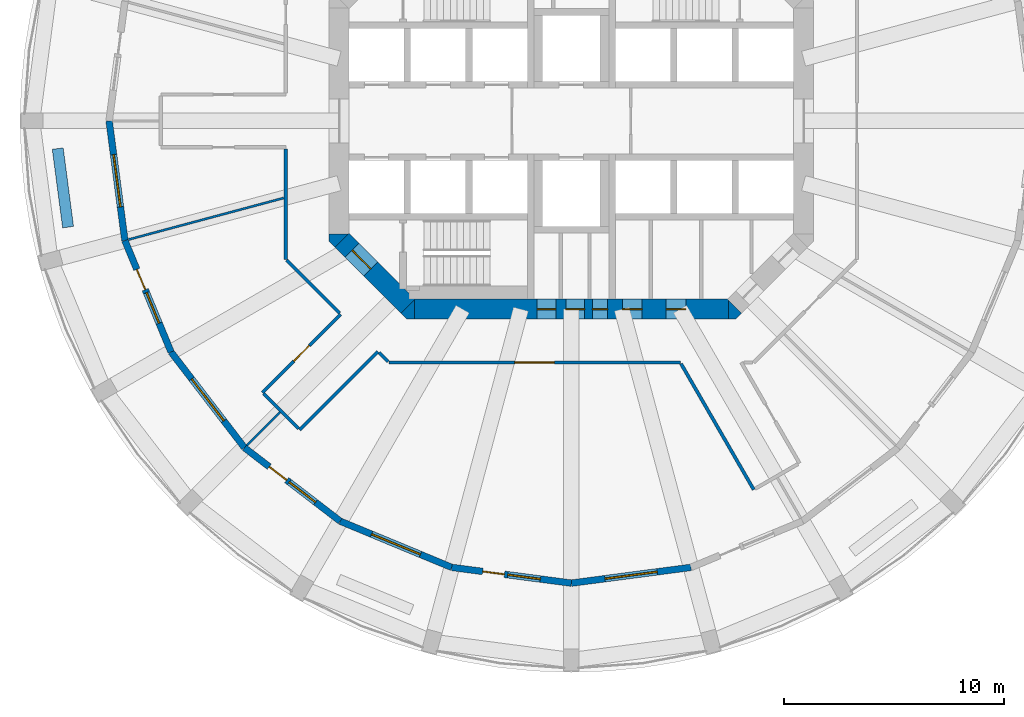
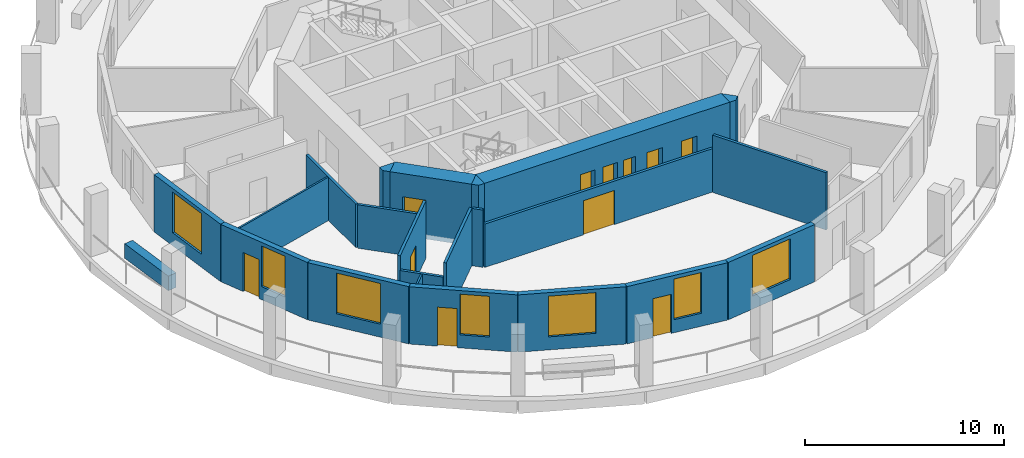
# One storey, part 2 of 8: 23 walls, 11 doors, 7 windows, 18 openings.
"""IFC4 building model written with IfcOpenShell, lengths in metres."""

from ifc_helpers import new_model, si_unit, direction, frame, frame_2d, origin, place, context, subcontext, project, spatial, polyline, rectangle, outline, extrude, material, layer, layer_set, type_object, element, fill, save


model = new_model("IFC4")

# Units and contexts
model_context = context("Model", 3, precision=1e-05, world=origin(), true_north=direction((0.0, 1.0)))
body_context = subcontext(model_context, "Body", "Model", "MODEL_VIEW")
ifc_project = project(units=[si_unit("LENGTHUNIT", "METRE"), si_unit("AREAUNIT", "SQUARE_METRE"), si_unit("VOLUMEUNIT", "CUBIC_METRE"), si_unit("PLANEANGLEUNIT", "RADIAN"), si_unit("MASSUNIT", "GRAM", prefix="KILO")], contexts=[model_context])

# Site, building, storey
site_placement = place(None, origin())
site = spatial("IfcSite", under=ifc_project, at=site_placement, CompositionType="ELEMENT")
building_placement = place(site_placement, origin())
building = spatial("IfcBuilding", under=site, at=building_placement, Name="Torre Triforio", CompositionType="ELEMENT")
storey_placement = place(building_placement, frame((0.0, 0.0, 139.0)))
storey = spatial("IfcBuildingStorey", under=building, at=storey_placement, Name="L31", CompositionType="ELEMENT", Elevation=139.0)

# Wall, openings, doors
ifc_material_1 = material(Name="Concrete C60", Category="concrete")
ifc_layer_1 = layer(ifc_material_1, 0.89990234375)
ifc_layer_set_1 = layer_set([ifc_layer_1], Name="Concrete C60")
wall_type_1 = type_object("IfcWallType", Name="Core wall 900 mm C60 EI 120", PredefinedType="SHEAR", material=ifc_layer_set_1)
wall_1_placement = place(storey_placement, frame((-7.1298828125, -8.550048828125, -0.280029296875), z_axis=(0.0, 0.0, 1.0), x_axis=(1.0, 0.0, 0.0)))
wall_1 = element("IfcWall", 1, at=wall_1_placement, inside=storey, type_object=wall_type_1, Name="Core wall", PredefinedType="SHEAR", context=body_context, shape_type="SweptSolid", body=[
    extrude(rectangle(XDim=14.259765625, YDim=0.89990234375, at=frame_2d((7.1298828125, 0.0))), origin(), (0.0, 0.0, 1.0), 3.800048828125),
])
opening_1_placement = place(wall_1_placement, frame((8.080078125, 0.0, 0.280029296875)))
opening_1 = element("IfcOpeningElement", 2, at=opening_1_placement, cuts=wall_1, Name="Opening RISER-S", PredefinedType="OPENING", context=body_context, shape_type="SweptSolid", body=[
    extrude(rectangle(XDim=0.699951171875, YDim=2.10009765625, at=frame_2d((0.35009765625, 1.050048828125))), frame((0.0, 0.4599609375, 0.0), z_axis=(0.0, -1.0, 0.0), x_axis=(1.0, 0.0, 0.0)), (0.0, 0.0, 1.0), 0.919921875),
])
opening_2_placement = place(wall_1_placement, frame((5.580078125, 0.0, 0.280029296875)))
opening_2 = element("IfcOpeningElement", 3, at=opening_2_placement, cuts=wall_1, Name="Opening SW-01A", PredefinedType="OPENING", context=body_context, shape_type="SweptSolid", body=[
    extrude(rectangle(XDim=0.85009765625, YDim=2.10009765625, at=frame_2d((0.425048828125, 1.050048828125))), frame((0.0, 0.4599609375, 0.0), z_axis=(0.0, -1.0, 0.0), x_axis=(1.0, 0.0, 0.0)), (0.0, 0.0, 1.0), 0.919921875),
])
opening_3_placement = place(wall_1_placement, frame((6.8798828125, 0.0, 0.280029296875)))
opening_3 = element("IfcOpeningElement", 4, at=opening_3_placement, cuts=wall_1, Name="Opening SW-02", PredefinedType="OPENING", context=body_context, shape_type="SweptSolid", body=[
    extrude(rectangle(XDim=0.85009765625, YDim=2.10009765625, at=frame_2d((0.425048828125, 1.050048828125))), frame((0.0, 0.4599609375, 0.0), z_axis=(0.0, -1.0, 0.0), x_axis=(1.0, 0.0, 0.0)), (0.0, 0.0, 1.0), 0.919921875),
])
opening_4_placement = place(wall_1_placement, frame((9.445068359375, 0.0, 0.280029296875)))
opening_4 = element("IfcOpeningElement", 5, at=opening_4_placement, cuts=wall_1, Name="Opening SE-01A", PredefinedType="OPENING", context=body_context, shape_type="SweptSolid", body=[
    extrude(rectangle(XDim=0.89990234375, YDim=2.10009765625, at=frame_2d((0.449951171875, 1.050048828125))), frame((0.0, 0.4599609375, 0.0), z_axis=(0.0, -1.0, 0.0), x_axis=(1.0, 0.0, 0.0)), (0.0, 0.0, 1.0), 0.919921875),
])
opening_5_placement = place(wall_1_placement, frame((11.430908203125, 0.0, 0.280029296875)))
opening_5 = element("IfcOpeningElement", 6, at=opening_5_placement, cuts=wall_1, Name="Opening SE-02", PredefinedType="OPENING", context=body_context, shape_type="SweptSolid", body=[
    extrude(rectangle(XDim=0.89990234375, YDim=2.10009765625, at=frame_2d((0.449951171875, 1.050048828125))), frame((0.0, 0.4599609375, 0.0), z_axis=(0.0, -1.0, 0.0), x_axis=(1.0, 0.0, 0.0)), (0.0, 0.0, 1.0), 0.919921875),
])
ifc_material_2 = material(Name="Hollow metal fire door leaf")
door_type_1 = type_object("IfcDoorType", Name="Riser door 700 x 2100 EI 60", OperationType="NOTDEFINED", PredefinedType="DOOR", material=ifc_material_2)
door_1_placement = place(opening_1_placement, origin())
door_1 = element("IfcDoor", 7, at=door_1_placement, inside=storey, type_object=door_type_1, Name="Core door RISER-S", OperationType="SINGLE_SWING_RIGHT", OverallHeight=2.10009765625, OverallWidth=0.699951171875, PredefinedType="DOOR", context=body_context, shape_type="SweptSolid", body=[
    extrude(rectangle(XDim=0.699951171875, YDim=2.10009765625, at=frame_2d((0.35009765625, 1.050048828125))), frame((0.0, 0.02490234375, 0.0), z_axis=(0.0, -1.0, 0.0), x_axis=(1.0, 0.0, 0.0)), (0.0, 0.0, 1.0), 0.050048828125),
])
fill(opening_1, door_1)
door_type_2 = type_object("IfcDoorType", Name="Room door 850 x 2100 EI 60", OperationType="NOTDEFINED", PredefinedType="DOOR", material=ifc_material_2)
door_2_placement = place(opening_2_placement, origin())
door_2 = element("IfcDoor", 8, at=door_2_placement, inside=storey, type_object=door_type_2, Name="Core door SW-01", OperationType="SINGLE_SWING_RIGHT", OverallHeight=2.10009765625, OverallWidth=0.85009765625, PredefinedType="DOOR", context=body_context, shape_type="SweptSolid", body=[
    extrude(rectangle(XDim=0.85009765625, YDim=2.10009765625, at=frame_2d((0.425048828125, 1.050048828125))), frame((0.0, 0.02490234375, 0.0), z_axis=(0.0, -1.0, 0.0), x_axis=(1.0, 0.0, 0.0)), (0.0, 0.0, 1.0), 0.050048828125),
])
fill(opening_2, door_2)
door_3_placement = place(opening_3_placement, origin())
door_3 = element("IfcDoor", 9, at=door_3_placement, inside=storey, type_object=door_type_2, Name="Core door SW-02", OperationType="SINGLE_SWING_LEFT", OverallHeight=2.10009765625, OverallWidth=0.85009765625, PredefinedType="DOOR", context=body_context, shape_type="SweptSolid", body=[
    extrude(rectangle(XDim=0.85009765625, YDim=2.10009765625, at=frame_2d((0.425048828125, 1.050048828125))), frame((0.0, 0.02490234375, 0.0), z_axis=(0.0, -1.0, 0.0), x_axis=(1.0, 0.0, 0.0)), (0.0, 0.0, 1.0), 0.050048828125),
])
fill(opening_3, door_3)
door_type_3 = type_object("IfcDoorType", Name="Room door 900 x 2100 EI 60", OperationType="NOTDEFINED", PredefinedType="DOOR", material=ifc_material_2)
door_4_placement = place(opening_4_placement, origin())
door_4 = element("IfcDoor", 10, at=door_4_placement, inside=storey, type_object=door_type_3, Name="Core door SE-01", OperationType="SINGLE_SWING_RIGHT", OverallHeight=2.10009765625, OverallWidth=0.89990234375, PredefinedType="DOOR", context=body_context, shape_type="SweptSolid", body=[
    extrude(rectangle(XDim=0.89990234375, YDim=2.10009765625, at=frame_2d((0.449951171875, 1.050048828125))), frame((0.0, 0.02490234375, 0.0), z_axis=(0.0, -1.0, 0.0), x_axis=(1.0, 0.0, 0.0)), (0.0, 0.0, 1.0), 0.050048828125),
])
fill(opening_4, door_4)
door_5_placement = place(opening_5_placement, origin())
door_5 = element("IfcDoor", 11, at=door_5_placement, inside=storey, type_object=door_type_3, Name="Core door SE-02", OperationType="SINGLE_SWING_LEFT", OverallHeight=2.10009765625, OverallWidth=0.89990234375, PredefinedType="DOOR", context=body_context, shape_type="SweptSolid", body=[
    extrude(rectangle(XDim=0.89990234375, YDim=2.10009765625, at=frame_2d((0.449951171875, 1.050048828125))), frame((0.0, 0.02490234375, 0.0), z_axis=(0.0, -1.0, 0.0), x_axis=(1.0, 0.0, 0.0)), (0.0, 0.0, 1.0), 0.050048828125),
])
fill(opening_5, door_5)

# Wall, opening, door
wall_2_placement = place(storey_placement, frame((-7.418212890625, -8.418212890625, -0.280029296875), z_axis=(0.0, 0.0, 1.0), x_axis=(-0.707106781187, 0.707106781187, 0.0)))
wall_2 = element("IfcWall", 12, at=wall_2_placement, inside=storey, type_object=wall_type_1, Name="Core wall", PredefinedType="SHEAR", context=body_context, shape_type="SweptSolid", body=[
    extrude(rectangle(XDim=4.24267578125, YDim=0.89990234375, at=frame_2d((2.121337890625, 0.0))), origin(), (0.0, 0.0, 1.0), 3.800048828125),
])
opening_6_placement = place(wall_2_placement, frame((2.392578125, 0.0, 0.280029296875)))
opening_6 = element("IfcOpeningElement", 13, at=opening_6_placement, cuts=wall_2, Name="Opening ST3-EXIT", PredefinedType="OPENING", context=body_context, shape_type="SweptSolid", body=[
    extrude(rectangle(XDim=1.199951171875, YDim=2.10009765625, at=frame_2d((0.60009765625, 1.050048828125))), frame((0.0, 0.4599609375, 0.0), z_axis=(0.0, -1.0, 0.0), x_axis=(1.0, 0.0, 0.0)), (0.0, 0.0, 1.0), 0.919921875),
])
door_type_4 = type_object("IfcDoorType", Name="Stair lobby door 1200 x 2100 EI 60", OperationType="NOTDEFINED", PredefinedType="DOOR", material=ifc_material_2)
door_6_placement = place(opening_6_placement, origin())
door_6 = element("IfcDoor", 14, at=door_6_placement, inside=storey, type_object=door_type_4, Name="Core door ST3-EXIT", OperationType="SINGLE_SWING_RIGHT", OverallHeight=2.10009765625, OverallWidth=1.199951171875, PredefinedType="DOOR", context=body_context, shape_type="SweptSolid", body=[
    extrude(rectangle(XDim=1.199951171875, YDim=2.10009765625, at=frame_2d((0.60009765625, 1.050048828125))), frame((0.0, 0.02490234375, 0.0), z_axis=(0.0, -1.0, 0.0), x_axis=(1.0, 0.0, 0.0)), (0.0, 0.0, 1.0), 0.050048828125),
])
fill(opening_6, door_6)

# Walls
wall_3_placement = place(storey_placement, frame((0.0, 0.0, -0.280029296875)))
element("IfcWall", 15, at=wall_3_placement, inside=storey, type_object=wall_type_1, Name="Core wall", PredefinedType="SHEAR", context=body_context, shape_type="SweptSolid", body=[
    extrude(outline(polyline([(-7.472900390625, -9.0), (-7.736328125, -8.736328125), (-7.1298828125, -8.1298828125), (-7.1298828125, -9.0), (-7.472900390625, -9.0)])), origin(), (0.0, 0.0, 1.0), 3.800048828125),
])
wall_4_placement = place(storey_placement, frame((0.0, 0.0, -0.280029296875)))
element("IfcWall", 16, at=wall_4_placement, inside=storey, type_object=wall_type_1, Name="Core wall", PredefinedType="SHEAR", context=body_context, shape_type="SweptSolid", body=[
    extrude(outline(polyline([(7.472900390625, -9.0), (7.1298828125, -9.0), (7.1298828125, -8.1298828125), (7.736328125, -8.736328125), (7.472900390625, -9.0)])), origin(), (0.0, 0.0, 1.0), 3.800048828125),
])
wall_5_placement = place(storey_placement, frame((0.0, 0.0, -0.280029296875)))
element("IfcWall", 17, at=wall_5_placement, inside=storey, type_object=wall_type_1, Name="Core wall", PredefinedType="SHEAR", context=body_context, shape_type="SweptSolid", body=[
    extrude(outline(polyline([(-11.0, -5.472900390625), (-11.0, -5.1298828125), (-10.1298828125, -5.1298828125), (-10.736328125, -5.736328125), (-11.0, -5.472900390625)])), origin(), (0.0, 0.0, 1.0), 3.800048828125),
])

# Wall, opening, door
ifc_material_3 = material(Name="Plasterboard on metal studs")
ifc_layer_2 = layer(ifc_material_3, 0.14990234375)
ifc_layer_set_2 = layer_set([ifc_layer_2], Name="Plasterboard on metal studs")
wall_type_2 = type_object("IfcWallType", Name="Corridor and tenancy wall 150 mm EI 60", PredefinedType="PARTITIONING", material=ifc_layer_set_2)
wall_6_placement = place(storey_placement, frame((-14.03515625, -12.338134765625, 0.0), z_axis=(0.0, 0.0, 1.0), x_axis=(0.707106781187, 0.707106781187, 0.0)))
wall_6 = element("IfcWall", 18, at=wall_6_placement, inside=storey, type_object=wall_type_2, Name="Partition 1", PredefinedType="PARTITIONING", context=body_context, shape_type="SweptSolid", body=[
    extrude(rectangle(XDim=5.025634765625, YDim=0.14990234375, at=frame_2d((2.5126953125, 0.0))), origin(), (0.0, 0.0, 1.0), 3.52001953125),
])
opening_7_placement = place(wall_6_placement, frame((2.0126953125, 0.0, 0.0)))
opening_7 = element("IfcOpeningElement", 19, at=opening_7_placement, cuts=wall_6, Name="Opening D3-05", PredefinedType="OPENING", context=body_context, shape_type="SweptSolid", body=[
    extrude(rectangle(XDim=1.0, YDim=2.10009765625, at=frame_2d((0.5, 1.050048828125))), frame((0.0, 0.0849609375, 0.0), z_axis=(0.0, -1.0, 0.0), x_axis=(1.0, 0.0, 0.0)), (0.0, 0.0, 1.0), 0.169921875),
])
ifc_material_4 = material(Name="Timber", Category="wood")
door_type_5 = type_object("IfcDoorType", Name="Door 1000 x 2100 single leaf EI 30", OperationType="NOTDEFINED", PredefinedType="DOOR", material=ifc_material_4)
door_7_placement = place(opening_7_placement, origin())
door_7 = element("IfcDoor", 20, at=door_7_placement, inside=storey, type_object=door_type_5, Name="Door D3-05", OperationType="SINGLE_SWING_RIGHT", OverallHeight=2.10009765625, OverallWidth=1.0, PredefinedType="DOOR", context=body_context, shape_type="SweptSolid", body=[
    extrude(rectangle(XDim=1.0, YDim=2.10009765625, at=frame_2d((0.5, 1.050048828125))), frame((0.0, 0.02490234375, 0.0), z_axis=(0.0, -1.0, 0.0), x_axis=(1.0, 0.0, 0.0)), (0.0, 0.0, 1.0), 0.050048828125),
])
fill(opening_7, door_7)

# Walls
wall_7_placement = place(storey_placement, frame((-10.534423828125, -8.7314453125, 0.0), z_axis=(0.0, 0.0, 1.0), x_axis=(-0.707106781187, 0.707106781187, 0.0)))
element("IfcWall", 21, at=wall_7_placement, inside=storey, type_object=wall_type_2, Name="Partition 2", PredefinedType="PARTITIONING", context=body_context, shape_type="SweptSolid", body=[
    extrude(rectangle(XDim=3.399169921875, YDim=0.14990234375, at=frame_2d((1.69970703125, 0.0))), origin(), (0.0, 0.0, 1.0), 2.669921875),
])
wall_8_placement = place(storey_placement, frame((-12.97509765625, -6.291015625, 0.0), z_axis=(0.0, 0.0, 1.0), x_axis=(0.0, 1.0, 0.0)))
element("IfcWall", 22, at=wall_8_placement, inside=storey, type_object=wall_type_2, Name="Partition 3", PredefinedType="PARTITIONING", context=body_context, shape_type="SweptSolid", body=[
    extrude(rectangle(XDim=5.01611328125, YDim=0.14990234375, at=frame_2d((2.508056640625, 0.0))), origin(), (0.0, 0.0, 1.0), 2.669921875),
])
wall_9_placement = place(storey_placement, frame((8.28515625, -16.750244140625, 0.0), z_axis=(0.0, 0.0, 1.0), x_axis=(-0.499988075443, 0.866032288321, 0.0)))
element("IfcWall", 23, at=wall_9_placement, inside=storey, type_object=wall_type_2, Name="Partition 25", PredefinedType="PARTITIONING", context=body_context, shape_type="SweptSolid", body=[
    extrude(rectangle(XDim=6.603759765625, YDim=0.14990234375, at=frame_2d((3.3017578125, 0.0))), origin(), (0.0, 0.0, 1.0), 3.52001953125),
])

# Wall, opening, door
wall_10_placement = place(storey_placement, frame((4.95068359375, -10.97509765625, 0.0), z_axis=(0.0, 0.0, 1.0), x_axis=(-1.0, 0.0, 0.0)))
wall_10 = element("IfcWall", 24, at=wall_10_placement, inside=storey, type_object=wall_type_2, Name="Partition 26", PredefinedType="PARTITIONING", context=body_context, shape_type="SweptSolid", body=[
    extrude(rectangle(XDim=13.24169921875, YDim=0.14990234375, at=frame_2d((6.620849609375, 0.0))), origin(), (0.0, 0.0, 1.0), 2.669921875),
])
opening_8_placement = place(wall_10_placement, frame((5.720703125, 0.0, 0.0)))
opening_8 = element("IfcOpeningElement", 25, at=opening_8_placement, cuts=wall_10, Name="Opening D3-06", PredefinedType="OPENING", context=body_context, shape_type="SweptSolid", body=[
    extrude(rectangle(XDim=1.800048828125, YDim=2.10009765625, at=frame_2d((0.89990234375, 1.050048828125))), frame((0.0, 0.0849609375, 0.0), z_axis=(0.0, -1.0, 0.0), x_axis=(1.0, 0.0, 0.0)), (0.0, 0.0, 1.0), 0.169921875),
])
door_type_6 = type_object("IfcDoorType", Name="Door 1800 x 2100 double leaf EI 30", OperationType="DOUBLE_DOOR_SINGLE_SWING", PredefinedType="DOOR", material=ifc_material_4)
door_8_placement = place(opening_8_placement, origin())
door_8 = element("IfcDoor", 26, at=door_8_placement, inside=storey, type_object=door_type_6, Name="Door D3-06", OperationType="DOUBLE_DOOR_SINGLE_SWING", OverallHeight=2.10009765625, OverallWidth=1.800048828125, PredefinedType="DOOR", context=body_context, shape_type="SweptSolid", body=[
    extrude(rectangle(XDim=1.800048828125, YDim=2.10009765625, at=frame_2d((0.89990234375, 1.050048828125))), frame((0.0, 0.02490234375, 0.0), z_axis=(0.0, -1.0, 0.0), x_axis=(1.0, 0.0, 0.0)), (0.0, 0.0, 1.0), 0.050048828125),
])
fill(opening_8, door_8)

# Walls
wall_11_placement = place(storey_placement, frame((-8.327880859375, -10.93798828125, 0.0), z_axis=(0.0, 0.0, 1.0), x_axis=(-0.707106781187, 0.707106781187, 0.0)))
element("IfcWall", 27, at=wall_11_placement, inside=storey, type_object=wall_type_2, Name="Partition 27", PredefinedType="PARTITIONING", context=body_context, shape_type="SweptSolid", body=[
    extrude(rectangle(XDim=0.57080078125, YDim=0.14990234375, at=frame_2d((0.285400390625, 0.0))), origin(), (0.0, 0.0, 1.0), 3.52001953125),
])
wall_12_placement = place(storey_placement, frame((-8.784423828125, -10.4814453125, 0.0), z_axis=(0.0, 0.0, 1.0), x_axis=(-0.707106781187, -0.707106781187, 0.0)))
element("IfcWall", 28, at=wall_12_placement, inside=storey, type_object=wall_type_2, Name="Partition 28", PredefinedType="PARTITIONING", context=body_context, shape_type="SweptSolid", body=[
    extrude(rectangle(XDim=5.025634765625, YDim=0.14990234375, at=frame_2d((2.5126953125, 0.0))), origin(), (0.0, 0.0, 1.0), 3.52001953125),
])
wall_13_placement = place(storey_placement, frame((-12.39111328125, -13.982177734375, 0.0), z_axis=(0.0, 0.0, 1.0), x_axis=(-0.707106781187, 0.707106781187, 0.0)))
element("IfcWall", 29, at=wall_13_placement, inside=storey, type_object=wall_type_2, Name="Partition 29", PredefinedType="PARTITIONING", context=body_context, shape_type="SweptSolid", body=[
    extrude(rectangle(XDim=2.25, YDim=0.14990234375, at=frame_2d((1.125, 0.0))), origin(), (0.0, 0.0, 1.0), 2.669921875),
])
ifc_layer_3 = layer(ifc_material_3, 0.10009765625)
ifc_layer_set_3 = layer_set([ifc_layer_3], Name="Plasterboard on metal studs")
wall_type_3 = type_object("IfcWallType", Name="Partition 100 mm board on metal studs", PredefinedType="PARTITIONING", material=ifc_layer_set_3)
wall_14_placement = place(storey_placement, frame((-13.064208984375, -3.50048828125, 0.0), z_axis=(0.0, 0.0, 1.0), x_axis=(-0.965927781613, -0.258811747624, 0.0)))
element("IfcWall", 30, at=wall_14_placement, inside=storey, type_object=wall_type_3, Name="Partition 38", PredefinedType="PARTITIONING", context=body_context, shape_type="SweptSolid", body=[
    extrude(rectangle(XDim=7.3115234375, YDim=0.10009765625, at=frame_2d((3.65576171875, 0.0))), origin(), (0.0, 0.0, 1.0), 2.669921875),
])
wall_15_placement = place(storey_placement, frame((-13.23974609375, -13.23974609375, 0.0), z_axis=(0.0, 0.0, 1.0), x_axis=(-0.707106781187, -0.707106781187, 0.0)))
element("IfcWall", 31, at=wall_15_placement, inside=storey, type_object=wall_type_3, Name="Partition 39", PredefinedType="PARTITIONING", context=body_context, shape_type="SweptSolid", body=[
    extrude(rectangle(XDim=2.113037109375, YDim=0.10009765625, at=frame_2d((1.056640625, 0.0))), origin(), (0.0, 0.0, 1.0), 2.669921875),
])
ifc_material_5 = material(Name="Limestone cladding", Category="masonry")
ifc_layer_4 = layer(ifc_material_5, 0.10009765625)
ifc_material_6 = material(Name="Concrete C40", Category="concrete")
ifc_layer_5 = layer(ifc_material_6, 0.39990234375)
ifc_layer_set_4 = layer_set([ifc_layer_4, ifc_layer_5], Name="Limestone cladding / Concrete C40")
wall_type_4 = type_object("IfcWallType", Name="Planter wall 500", PredefinedType="PARAPET", material=ifc_layer_set_4)
wall_16_placement = place(storey_placement, frame((-23.335693359375, -1.256591796875, 0.0), z_axis=(0.0, 0.0, 1.0), x_axis=(0.130542222659, -0.991442750795, 0.0)))
element("IfcWall", 32, at=wall_16_placement, inside=storey, type_object=wall_type_4, Name="Planter L31 bay 13", PredefinedType="PARAPET", context=body_context, shape_type="SweptSolid", body=[
    extrude(rectangle(XDim=3.60009765625, YDim=0.5, at=frame_2d((1.800048828125, 0.0))), origin(), (0.0, 0.0, 1.0), 0.89990234375),
])

# Wall, opening, window
ifc_layer_6 = layer(ifc_material_5, 0.10009765625)
ifc_layer_7 = layer(ifc_material_6, 0.199951171875)
ifc_layer_set_5 = layer_set([ifc_layer_6, ifc_layer_7], Name="Limestone cladding / Concrete C40")
wall_type_5 = type_object("IfcWallType", Name="Stone-faced composite wall 300", PredefinedType="STANDARD", material=ifc_layer_set_5)
wall_17_placement = place(storey_placement, frame((-21.0, 0.0, 0.0), z_axis=(0.0, 0.0, 1.0), x_axis=(0.130527087244, -0.991444743541, 0.0)))
wall_17 = element("IfcWall", 33, at=wall_17_placement, inside=storey, type_object=wall_type_5, Name="External wall L31 bay 13", PredefinedType="STANDARD", context=body_context, shape_type="SweptSolid", body=[
    extrude(rectangle(XDim=5.482177734375, YDim=0.300048828125, at=frame_2d((2.7412109375, 0.0))), origin(), (0.0, 0.0, 1.0), 3.52001953125),
])
opening_9_placement = place(wall_17_placement, frame((1.541015625, 0.0, 0.800048828125)))
opening_9 = element("IfcOpeningElement", 34, at=opening_9_placement, cuts=wall_17, Name="Opening D3-W13", PredefinedType="OPENING", context=body_context, shape_type="SweptSolid", body=[
    extrude(rectangle(XDim=2.39990234375, YDim=2.5, at=frame_2d((1.199951171875, 1.25))), frame((0.0, 0.159912109375, 0.0), z_axis=(0.0, -1.0, 0.0), x_axis=(1.0, 0.0, 0.0)), (0.0, 0.0, 1.0), 0.320068359375),
])
ifc_material_7 = material(Name="Aluminium frame with clear double glazing", Category="aluminium")
window_type_1 = type_object("IfcWindowType", Name="Punched window 2400 x 2500", PartitioningType="DOUBLE_PANEL_VERTICAL", PredefinedType="WINDOW", material=ifc_material_7)
window_1_placement = place(opening_9_placement, origin())
window_1 = element("IfcWindow", 35, at=window_1_placement, inside=storey, type_object=window_type_1, Name="Window EWN3 L31 bay 13", OverallHeight=2.5, OverallWidth=2.39990234375, PartitioningType="SINGLE_PANEL", PredefinedType="WINDOW", context=body_context, shape_type="SweptSolid", body=[
    extrude(rectangle(XDim=2.39990234375, YDim=2.5, at=frame_2d((1.199951171875, 1.25))), frame((0.0, 0.030029296875, 0.0), z_axis=(0.0, -1.0, 0.0), x_axis=(1.0, 0.0, 0.0)), (0.0, 0.0, 1.0), 0.06005859375),
])
fill(opening_9, window_1)

# Wall, openings, door, window
wall_18_placement = place(storey_placement, frame((-20.284423828125, -5.435302734375, 0.0), z_axis=(0.0, 0.0, 1.0), x_axis=(0.382688740813, -0.923877333662, 0.0)))
wall_18 = element("IfcWall", 36, at=wall_18_placement, inside=storey, type_object=wall_type_5, Name="External wall L31 bay 14", PredefinedType="STANDARD", context=body_context, shape_type="SweptSolid", body=[
    extrude(rectangle(XDim=5.48193359375, YDim=0.300048828125, at=frame_2d((2.740966796875, 0.0))), origin(), (0.0, 0.0, 1.0), 3.52001953125),
])
opening_10_placement = place(wall_18_placement, frame((1.416015625, 0.0, 0.0)))
opening_10 = element("IfcOpeningElement", 37, at=opening_10_placement, cuts=wall_18, Name="Opening D3-D14", PredefinedType="OPENING", context=body_context, shape_type="SweptSolid", body=[
    extrude(rectangle(XDim=1.0, YDim=2.39990234375, at=frame_2d((0.5, 1.199951171875))), frame((0.0, 0.159912109375, 0.0), z_axis=(0.0, -1.0, 0.0), x_axis=(1.0, 0.0, 0.0)), (0.0, 0.0, 1.0), 0.320068359375),
])
opening_11_placement = place(wall_18_placement, frame((2.566162109375, 0.0, 0.800048828125)))
opening_11 = element("IfcOpeningElement", 38, at=opening_11_placement, cuts=wall_18, Name="Opening D3-W14A", PredefinedType="OPENING", context=body_context, shape_type="SweptSolid", body=[
    extrude(rectangle(XDim=1.5, YDim=2.5, at=frame_2d((0.75, 1.25))), frame((0.0, 0.159912109375, 0.0), z_axis=(0.0, -1.0, 0.0), x_axis=(1.0, 0.0, 0.0)), (0.0, 0.0, 1.0), 0.320068359375),
])
door_type_7 = type_object("IfcDoorType", Name="Loggia door 1000 x 2400", OperationType="NOTDEFINED", PredefinedType="DOOR", material=ifc_material_7)
door_9_placement = place(opening_10_placement, origin())
door_9 = element("IfcDoor", 39, at=door_9_placement, inside=storey, type_object=door_type_7, Name="Loggia door L31 bay 14", OperationType="SINGLE_SWING_LEFT", OverallHeight=2.39990234375, OverallWidth=1.0, PredefinedType="DOOR", context=body_context, shape_type="SweptSolid", body=[
    extrude(rectangle(XDim=1.0, YDim=2.39990234375, at=frame_2d((0.5, 1.199951171875))), frame((0.0, 0.02490234375, 0.0), z_axis=(0.0, -1.0, 0.0), x_axis=(1.0, 0.0, 0.0)), (0.0, 0.0, 1.0), 0.050048828125),
])
fill(opening_10, door_9)
window_type_2 = type_object("IfcWindowType", Name="Side window 1500 x 2500", PartitioningType="SINGLE_PANEL", PredefinedType="WINDOW", material=ifc_material_7)
window_2_placement = place(opening_11_placement, origin())
window_2 = element("IfcWindow", 40, at=window_2_placement, inside=storey, type_object=window_type_2, Name="Side window EWN13 L31 bay 14", OverallHeight=2.5, OverallWidth=1.5, PartitioningType="SINGLE_PANEL", PredefinedType="WINDOW", context=body_context, shape_type="SweptSolid", body=[
    extrude(rectangle(XDim=1.5, YDim=2.5, at=frame_2d((0.75, 1.25))), frame((0.0, 0.030029296875, 0.0), z_axis=(0.0, -1.0, 0.0), x_axis=(1.0, 0.0, 0.0)), (0.0, 0.0, 1.0), 0.06005859375),
])
fill(opening_11, window_2)

# Wall, opening, window
wall_19_placement = place(storey_placement, frame((-18.1865234375, -10.5, 0.0), z_axis=(0.0, 0.0, 1.0), x_axis=(0.608784891166, -0.793335336593, 0.0)))
wall_19 = element("IfcWall", 41, at=wall_19_placement, inside=storey, type_object=wall_type_5, Name="External wall L31 bay 15", PredefinedType="STANDARD", context=body_context, shape_type="SweptSolid", body=[
    extrude(rectangle(XDim=5.482177734375, YDim=0.300048828125, at=frame_2d((2.7412109375, 0.0))), origin(), (0.0, 0.0, 1.0), 3.52001953125),
])
opening_12_placement = place(wall_19_placement, frame((1.541015625, 0.0, 0.800048828125)))
opening_12 = element("IfcOpeningElement", 42, at=opening_12_placement, cuts=wall_19, Name="Opening D3-W15", PredefinedType="OPENING", context=body_context, shape_type="SweptSolid", body=[
    extrude(rectangle(XDim=2.39990234375, YDim=2.5, at=frame_2d((1.199951171875, 1.25))), frame((0.0, 0.159912109375, 0.0), z_axis=(0.0, -1.0, 0.0), x_axis=(1.0, 0.0, 0.0)), (0.0, 0.0, 1.0), 0.320068359375),
])
window_3_placement = place(opening_12_placement, origin())
window_3 = element("IfcWindow", 43, at=window_3_placement, inside=storey, type_object=window_type_1, Name="Window EWN3 L31 bay 15", OverallHeight=2.5, OverallWidth=2.39990234375, PartitioningType="SINGLE_PANEL", PredefinedType="WINDOW", context=body_context, shape_type="SweptSolid", body=[
    extrude(rectangle(XDim=2.39990234375, YDim=2.5, at=frame_2d((1.199951171875, 1.25))), frame((0.0, 0.030029296875, 0.0), z_axis=(0.0, -1.0, 0.0), x_axis=(1.0, 0.0, 0.0)), (0.0, 0.0, 1.0), 0.06005859375),
])
fill(opening_12, window_3)

# Wall, openings, door, window
wall_20_placement = place(storey_placement, frame((-14.84912109375, -14.84912109375, 0.0), z_axis=(0.0, 0.0, 1.0), x_axis=(0.793335336593, -0.608784891166, 0.0)))
wall_20 = element("IfcWall", 44, at=wall_20_placement, inside=storey, type_object=wall_type_5, Name="External wall L31 bay 16", PredefinedType="STANDARD", context=body_context, shape_type="SweptSolid", body=[
    extrude(rectangle(XDim=5.482177734375, YDim=0.300048828125, at=frame_2d((2.7412109375, 0.0))), origin(), (0.0, 0.0, 1.0), 3.52001953125),
])
opening_13_placement = place(wall_20_placement, frame((1.416015625, 0.0, 0.0)))
opening_13 = element("IfcOpeningElement", 45, at=opening_13_placement, cuts=wall_20, Name="Opening D3-D16", PredefinedType="OPENING", context=body_context, shape_type="SweptSolid", body=[
    extrude(rectangle(XDim=1.0, YDim=2.39990234375, at=frame_2d((0.5, 1.199951171875))), frame((0.0, 0.159912109375, 0.0), z_axis=(0.0, -1.0, 0.0), x_axis=(1.0, 0.0, 0.0)), (0.0, 0.0, 1.0), 0.320068359375),
])
opening_14_placement = place(wall_20_placement, frame((2.56591796875, 0.0, 0.800048828125)))
opening_14 = element("IfcOpeningElement", 46, at=opening_14_placement, cuts=wall_20, Name="Opening D3-W16A", PredefinedType="OPENING", context=body_context, shape_type="SweptSolid", body=[
    extrude(rectangle(XDim=1.5, YDim=2.5, at=frame_2d((0.75, 1.25))), frame((0.0, 0.159912109375, 0.0), z_axis=(0.0, -1.0, 0.0), x_axis=(1.0, 0.0, 0.0)), (0.0, 0.0, 1.0), 0.320068359375),
])
door_10_placement = place(opening_13_placement, origin())
door_10 = element("IfcDoor", 47, at=door_10_placement, inside=storey, type_object=door_type_7, Name="Loggia door L31 bay 16", OperationType="SINGLE_SWING_LEFT", OverallHeight=2.39990234375, OverallWidth=1.0, PredefinedType="DOOR", context=body_context, shape_type="SweptSolid", body=[
    extrude(rectangle(XDim=1.0, YDim=2.39990234375, at=frame_2d((0.5, 1.199951171875))), frame((0.0, 0.02490234375, 0.0), z_axis=(0.0, -1.0, 0.0), x_axis=(1.0, 0.0, 0.0)), (0.0, 0.0, 1.0), 0.050048828125),
])
fill(opening_13, door_10)
window_4_placement = place(opening_14_placement, origin())
window_4 = element("IfcWindow", 48, at=window_4_placement, inside=storey, type_object=window_type_2, Name="Side window EWN13 L31 bay 16", OverallHeight=2.5, OverallWidth=1.5, PartitioningType="SINGLE_PANEL", PredefinedType="WINDOW", context=body_context, shape_type="SweptSolid", body=[
    extrude(rectangle(XDim=1.5, YDim=2.5, at=frame_2d((0.75, 1.25))), frame((0.0, 0.030029296875, 0.0), z_axis=(0.0, -1.0, 0.0), x_axis=(1.0, 0.0, 0.0)), (0.0, 0.0, 1.0), 0.06005859375),
])
fill(opening_14, window_4)

# Wall, opening, window
wall_21_placement = place(storey_placement, frame((-10.5, -18.1865234375, 0.0), z_axis=(0.0, 0.0, 1.0), x_axis=(0.923877333662, -0.382688740813, 0.0)))
wall_21 = element("IfcWall", 49, at=wall_21_placement, inside=storey, type_object=wall_type_5, Name="External wall L31 bay 17", PredefinedType="STANDARD", context=body_context, shape_type="SweptSolid", body=[
    extrude(rectangle(XDim=5.48193359375, YDim=0.300048828125, at=frame_2d((2.740966796875, 0.0))), origin(), (0.0, 0.0, 1.0), 3.52001953125),
])
opening_15_placement = place(wall_21_placement, frame((1.541015625, 0.0, 0.800048828125)))
opening_15 = element("IfcOpeningElement", 50, at=opening_15_placement, cuts=wall_21, Name="Opening D3-W17", PredefinedType="OPENING", context=body_context, shape_type="SweptSolid", body=[
    extrude(rectangle(XDim=2.39990234375, YDim=2.5, at=frame_2d((1.199951171875, 1.25))), frame((0.0, 0.159912109375, 0.0), z_axis=(0.0, -1.0, 0.0), x_axis=(1.0, 0.0, 0.0)), (0.0, 0.0, 1.0), 0.320068359375),
])
window_5_placement = place(opening_15_placement, origin())
window_5 = element("IfcWindow", 51, at=window_5_placement, inside=storey, type_object=window_type_1, Name="Window EWN3 L31 bay 17", OverallHeight=2.5, OverallWidth=2.39990234375, PartitioningType="SINGLE_PANEL", PredefinedType="WINDOW", context=body_context, shape_type="SweptSolid", body=[
    extrude(rectangle(XDim=2.39990234375, YDim=2.5, at=frame_2d((1.199951171875, 1.25))), frame((0.0, 0.030029296875, 0.0), z_axis=(0.0, -1.0, 0.0), x_axis=(1.0, 0.0, 0.0)), (0.0, 0.0, 1.0), 0.06005859375),
])
fill(opening_15, window_5)

# Wall, openings, door, window
wall_22_placement = place(storey_placement, frame((-5.435302734375, -20.284423828125, 0.0), z_axis=(0.0, 0.0, 1.0), x_axis=(0.991444743541, -0.130527087244, 0.0)))
wall_22 = element("IfcWall", 52, at=wall_22_placement, inside=storey, type_object=wall_type_5, Name="External wall L31 bay 18", PredefinedType="STANDARD", context=body_context, shape_type="SweptSolid", body=[
    extrude(rectangle(XDim=5.482177734375, YDim=0.300048828125, at=frame_2d((2.7412109375, 0.0))), origin(), (0.0, 0.0, 1.0), 3.52001953125),
])
opening_16_placement = place(wall_22_placement, frame((1.416015625, 0.0, 0.0)))
opening_16 = element("IfcOpeningElement", 53, at=opening_16_placement, cuts=wall_22, Name="Opening D3-D18", PredefinedType="OPENING", context=body_context, shape_type="SweptSolid", body=[
    extrude(rectangle(XDim=1.0, YDim=2.39990234375, at=frame_2d((0.5, 1.199951171875))), frame((0.0, 0.159912109375, 0.0), z_axis=(0.0, -1.0, 0.0), x_axis=(1.0, 0.0, 0.0)), (0.0, 0.0, 1.0), 0.320068359375),
])
opening_17_placement = place(wall_22_placement, frame((2.566162109375, 0.0, 0.800048828125)))
opening_17 = element("IfcOpeningElement", 54, at=opening_17_placement, cuts=wall_22, Name="Opening D3-W18A", PredefinedType="OPENING", context=body_context, shape_type="SweptSolid", body=[
    extrude(rectangle(XDim=1.5, YDim=2.5, at=frame_2d((0.75, 1.25))), frame((0.0, 0.159912109375, 0.0), z_axis=(0.0, -1.0, 0.0), x_axis=(1.0, 0.0, 0.0)), (0.0, 0.0, 1.0), 0.320068359375),
])
door_11_placement = place(opening_16_placement, origin())
door_11 = element("IfcDoor", 55, at=door_11_placement, inside=storey, type_object=door_type_7, Name="Loggia door L31 bay 18", OperationType="SINGLE_SWING_LEFT", OverallHeight=2.39990234375, OverallWidth=1.0, PredefinedType="DOOR", context=body_context, shape_type="SweptSolid", body=[
    extrude(rectangle(XDim=1.0, YDim=2.39990234375, at=frame_2d((0.5, 1.199951171875))), frame((0.0, 0.02490234375, 0.0), z_axis=(0.0, -1.0, 0.0), x_axis=(1.0, 0.0, 0.0)), (0.0, 0.0, 1.0), 0.050048828125),
])
fill(opening_16, door_11)
window_6_placement = place(opening_17_placement, origin())
window_6 = element("IfcWindow", 56, at=window_6_placement, inside=storey, type_object=window_type_2, Name="Side window EWN13 L31 bay 18", OverallHeight=2.5, OverallWidth=1.5, PartitioningType="SINGLE_PANEL", PredefinedType="WINDOW", context=body_context, shape_type="SweptSolid", body=[
    extrude(rectangle(XDim=1.5, YDim=2.5, at=frame_2d((0.75, 1.25))), frame((0.0, 0.030029296875, 0.0), z_axis=(0.0, -1.0, 0.0), x_axis=(1.0, 0.0, 0.0)), (0.0, 0.0, 1.0), 0.06005859375),
])
fill(opening_17, window_6)

# Wall, opening, window
wall_23_placement = place(storey_placement, frame((0.0, -21.0, 0.0), z_axis=(0.0, 0.0, 1.0), x_axis=(0.991444743541, 0.130527087244, 0.0)))
wall_23 = element("IfcWall", 57, at=wall_23_placement, inside=storey, type_object=wall_type_5, Name="External wall L31 bay 19", PredefinedType="STANDARD", context=body_context, shape_type="SweptSolid", body=[
    extrude(rectangle(XDim=5.482177734375, YDim=0.300048828125, at=frame_2d((2.7412109375, 0.0))), origin(), (0.0, 0.0, 1.0), 3.52001953125),
])
opening_18_placement = place(wall_23_placement, frame((1.541015625, 0.0, 0.800048828125)))
opening_18 = element("IfcOpeningElement", 58, at=opening_18_placement, cuts=wall_23, Name="Opening D3-W19", PredefinedType="OPENING", context=body_context, shape_type="SweptSolid", body=[
    extrude(rectangle(XDim=2.39990234375, YDim=2.5, at=frame_2d((1.199951171875, 1.25))), frame((0.0, 0.159912109375, 0.0), z_axis=(0.0, -1.0, 0.0), x_axis=(1.0, 0.0, 0.0)), (0.0, 0.0, 1.0), 0.320068359375),
])
window_7_placement = place(opening_18_placement, origin())
window_7 = element("IfcWindow", 59, at=window_7_placement, inside=storey, type_object=window_type_1, Name="Window EWN3 L31 bay 19", OverallHeight=2.5, OverallWidth=2.39990234375, PartitioningType="SINGLE_PANEL", PredefinedType="WINDOW", context=body_context, shape_type="SweptSolid", body=[
    extrude(rectangle(XDim=2.39990234375, YDim=2.5, at=frame_2d((1.199951171875, 1.25))), frame((0.0, 0.030029296875, 0.0), z_axis=(0.0, -1.0, 0.0), x_axis=(1.0, 0.0, 0.0)), (0.0, 0.0, 1.0), 0.06005859375),
])
fill(opening_18, window_7)

save(model, "model.ifc")
